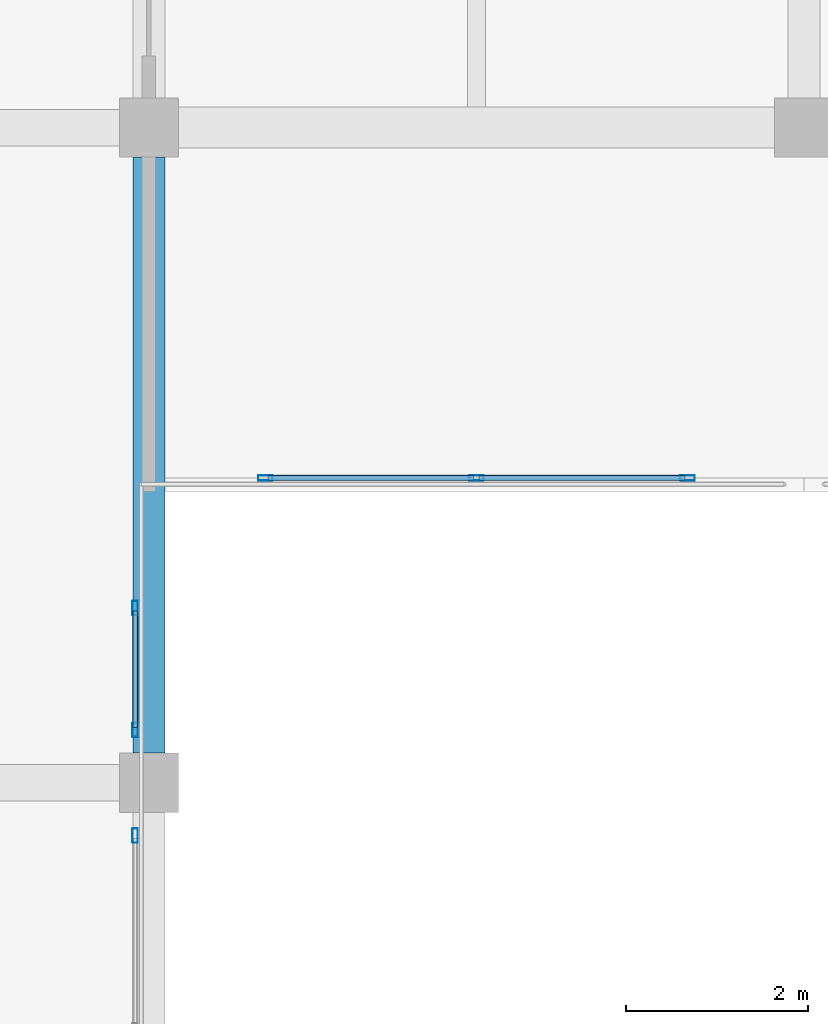
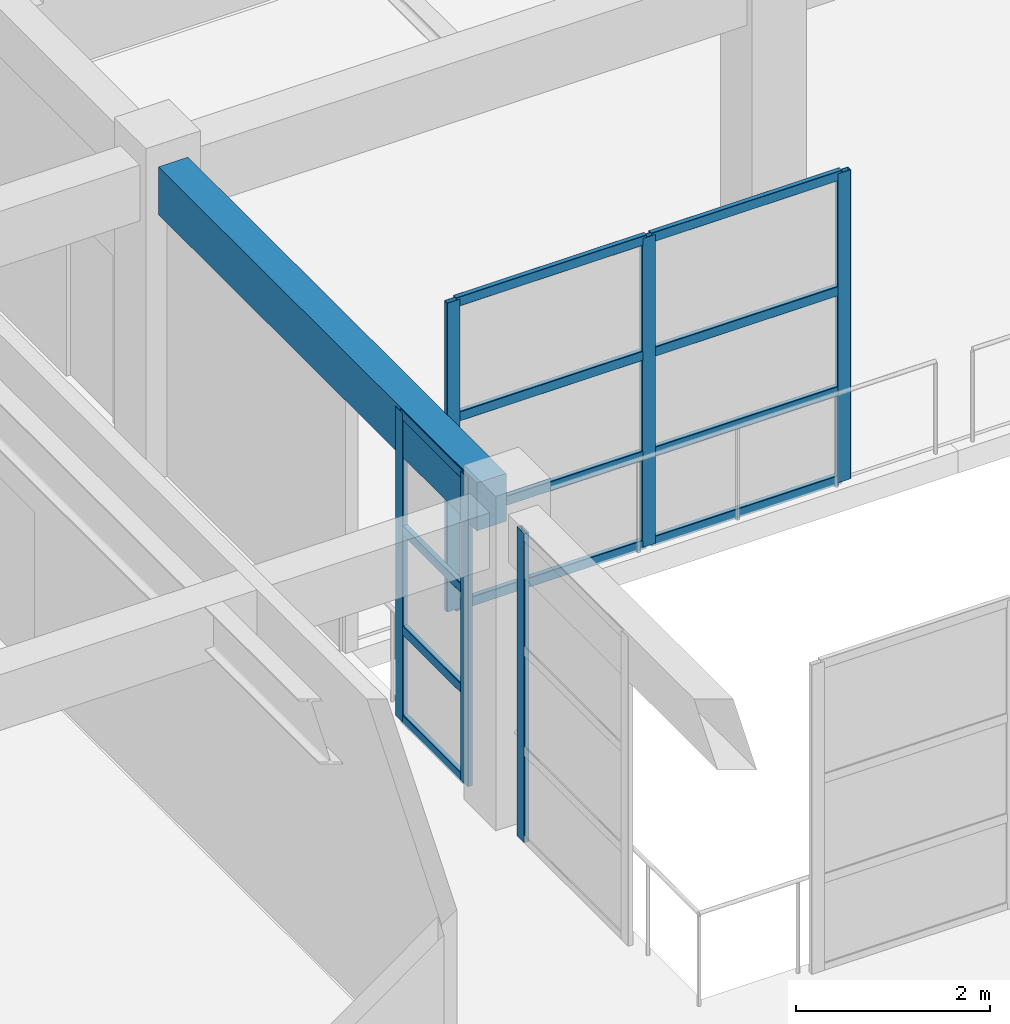
# One storey, part 29 of 67: 18 members, 1 beam, 3 elements without a shape of their own.
"""IFC4 building model written with IfcOpenShell, lengths in metres."""

from ifc_helpers import new_model, si_unit, direction, frame, origin, origin_2d, place, context, subcontext, project, spatial, rectangle, hollow_rectangle, extrude, material, material_profile, profile_set, type_object, element, aggregate, save


model = new_model("IFC4")

# Units and contexts
model_context = context("Model", 3, precision=1e-05, world=origin(), true_north=direction((0.0, 1.0)))
body_context = subcontext(model_context, "Body", "Model", "MODEL_VIEW")
ifc_project = project(units=[si_unit("LENGTHUNIT", "METRE"), si_unit("AREAUNIT", "SQUARE_METRE"), si_unit("VOLUMEUNIT", "CUBIC_METRE"), si_unit("PLANEANGLEUNIT", "RADIAN"), si_unit("MASSUNIT", "GRAM", prefix="KILO")], contexts=[model_context])

# Site, building, storey
site_placement = place(None, origin())
site = spatial("IfcSite", under=ifc_project, at=site_placement, CompositionType="ELEMENT")
building_placement = place(site_placement, origin())
building = spatial("IfcBuilding", under=site, at=building_placement, Name="Bramveld Media Centre", CompositionType="ELEMENT")
storey_placement = place(building_placement, frame((0.0, 0.0, 5.39990234375)))
storey = spatial("IfcBuildingStorey", under=building, at=storey_placement, Name="L01", CompositionType="ELEMENT", Elevation=5.39990234375)

# Beam
ifc_material_1 = material(Name="Concrete C40/50", Category="concrete")
ifc_material_profile_1 = material_profile(ifc_material_1, rectangle(XDim=0.35009765625, YDim=0.60009765625, at=origin_2d()), Name="RC 350x600")
ifc_profile_set_1 = profile_set([ifc_material_profile_1], Name="Concrete C40/50")
beam_type = type_object("IfcBeamType", Name="BM-INT-RC-350x600", PredefinedType="BEAM", material=ifc_profile_set_1)
beam_placement = place(storey_placement, frame((80.0, 105.125, 3.6201171875), z_axis=(0.0, 1.0, 0.0), x_axis=(-1.0, 0.0, 0.0)))
element("IfcBeam", 1, at=beam_placement, inside=storey, type_object=beam_type, Name="V6 L01 girder Y-1030", PredefinedType="BEAM", context=body_context, shape_type="SweptSolid", body=[
    extrude(rectangle(XDim=0.35009765625, YDim=0.60009765625, at=origin_2d()), origin(), (0.0, 0.0, 1.0), 6.550048828125),
])

# Curtain wall, members
ifc_material_2 = material(Name="Thermally broken anodized bronze aluminium unitized curtain wall with solar-control triple glazing", Category="aluminium")
curtain_wall_type_1 = type_object("IfcCurtainWallType", Name="CW-ATR-4700x3880", PredefinedType="NOTDEFINED", material=ifc_material_2)
curtain_wall_1_placement = place(storey_placement, origin())
curtain_wall_1 = element("IfcCurtainWall", 2, at=curtain_wall_1_placement, inside=storey, type_object=curtain_wall_type_1, Name="V6 L01 atrium acoustic screen N1-1", PredefinedType="NOTDEFINED")
ifc_material_3 = material(Name="Thermally broken anodized bronze aluminium EN AW-6063 T6 curtain-wall framing", Category="aluminium")
ifc_material_profile_2 = material_profile(ifc_material_3, hollow_rectangle(XDim=0.06005859375, YDim=0.159912109375, WallThickness=0.00390625, InnerFilletRadius=0.00390625, OuterFilletRadius=0.008056640625, at=origin_2d()), Name="AL-MULL 60x160")
ifc_profile_set_2 = profile_set([ifc_material_profile_2], Name="Thermally broken anodized bronze aluminium EN AW-6063 T6 curtain-wall framing")
member_type_1 = type_object("IfcMemberType", Name="CW-MULL-INT", PredefinedType="MULLION", material=ifc_profile_set_2)
member_1_placement = place(storey_placement, frame((81.280029296875, 108.14990234375, 0.0), z_axis=(0.0, 0.0, 1.0), x_axis=(0.0, 1.0, 0.0)))
member_1 = element("IfcMember", 3, at=member_1_placement, type_object=member_type_1, Name="CW-AT-4738 mullion 1", PredefinedType="MULLION", context=body_context, shape_type="SweptSolid", body=[
    extrude(hollow_rectangle(XDim=0.06005859375, YDim=0.159912109375, WallThickness=0.00390625, InnerFilletRadius=0.00390625, OuterFilletRadius=0.008056640625, at=origin_2d()), origin(), (0.0, 0.0, 1.0), 3.880126953125),
])
member_2_placement = place(storey_placement, frame((83.60009765625, 108.14990234375, 0.0), z_axis=(0.0, 0.0, 1.0), x_axis=(0.0, 1.0, 0.0)))
member_2 = element("IfcMember", 4, at=member_2_placement, type_object=member_type_1, Name="CW-AT-4738 mullion 2", PredefinedType="MULLION", context=body_context, shape_type="SweptSolid", body=[
    extrude(hollow_rectangle(XDim=0.06005859375, YDim=0.159912109375, WallThickness=0.00390625, InnerFilletRadius=0.00390625, OuterFilletRadius=0.008056640625, at=origin_2d()), origin(), (0.0, 0.0, 1.0), 3.880126953125),
])
member_3_placement = place(storey_placement, frame((85.919921875, 108.14990234375, 0.0), z_axis=(0.0, 0.0, 1.0), x_axis=(0.0, 1.0, 0.0)))
member_3 = element("IfcMember", 5, at=member_3_placement, type_object=member_type_1, Name="CW-AT-4738 mullion 3", PredefinedType="MULLION", context=body_context, shape_type="SweptSolid", body=[
    extrude(hollow_rectangle(XDim=0.06005859375, YDim=0.159912109375, WallThickness=0.00390625, InnerFilletRadius=0.00390625, OuterFilletRadius=0.008056640625, at=origin_2d()), origin(), (0.0, 0.0, 1.0), 3.880126953125),
])

# Curtain wall, member
ifc_material_4 = material(Name="Thermally broken anodized bronze aluminium unitized curtain wall with solar-control triple glazing", Category="aluminium")
curtain_wall_type_2 = type_object("IfcCurtainWallType", Name="CW-ATR-2200x3880", PredefinedType="NOTDEFINED", material=ifc_material_4)
curtain_wall_2_placement = place(storey_placement, origin())
curtain_wall_2 = element("IfcCurtainWall", 6, at=curtain_wall_2_placement, inside=storey, type_object=curtain_wall_type_2, Name="V6 L01 atrium acoustic screen W-1", PredefinedType="NOTDEFINED")
member_4_placement = place(storey_placement, frame((79.85009765625, 104.219970703125, 0.0), z_axis=(0.0, 0.0, 1.0), x_axis=(-1.0, 0.0, 0.0)))
member_4 = element("IfcMember", 7, at=member_4_placement, type_object=member_type_1, Name="CW-AT-2238 mullion 2", PredefinedType="MULLION", context=body_context, shape_type="SweptSolid", body=[
    extrude(hollow_rectangle(XDim=0.06005859375, YDim=0.159912109375, WallThickness=0.00390625, InnerFilletRadius=0.00390625, OuterFilletRadius=0.008056640625, at=origin_2d()), origin(), (0.0, 0.0, 1.0), 3.880126953125),
])
aggregate(curtain_wall_2, [member_4])

# Curtain wall, members
ifc_material_5 = material(Name="Thermally broken anodized bronze aluminium unitized curtain wall with solar-control triple glazing", Category="aluminium")
curtain_wall_type_3 = type_object("IfcCurtainWallType", Name="CW-ATR-1400x3880", PredefinedType="NOTDEFINED", material=ifc_material_5)
curtain_wall_3_placement = place(storey_placement, origin())
curtain_wall_3 = element("IfcCurtainWall", 8, at=curtain_wall_3_placement, inside=storey, type_object=curtain_wall_type_3, Name="V6 L01 atrium acoustic screen W-2", PredefinedType="NOTDEFINED")
member_5_placement = place(storey_placement, frame((79.85009765625, 105.3798828125, 0.0), z_axis=(0.0, 0.0, 1.0), x_axis=(-1.0, 0.0, 0.0)))
member_5 = element("IfcMember", 9, at=member_5_placement, type_object=member_type_1, Name="CW-AT-1438 mullion 1", PredefinedType="MULLION", context=body_context, shape_type="SweptSolid", body=[
    extrude(hollow_rectangle(XDim=0.06005859375, YDim=0.159912109375, WallThickness=0.00390625, InnerFilletRadius=0.00390625, OuterFilletRadius=0.008056640625, at=origin_2d()), origin(), (0.0, 0.0, 1.0), 3.880126953125),
])
member_6_placement = place(storey_placement, frame((79.85009765625, 106.719970703125, 0.0), z_axis=(0.0, 0.0, 1.0), x_axis=(-1.0, 0.0, 0.0)))
member_6 = element("IfcMember", 10, at=member_6_placement, type_object=member_type_1, Name="CW-AT-1438 mullion 2", PredefinedType="MULLION", context=body_context, shape_type="SweptSolid", body=[
    extrude(hollow_rectangle(XDim=0.06005859375, YDim=0.159912109375, WallThickness=0.00390625, InnerFilletRadius=0.00390625, OuterFilletRadius=0.008056640625, at=origin_2d()), origin(), (0.0, 0.0, 1.0), 3.880126953125),
])

# Member
ifc_material_6 = material(Name="Thermally broken anodized bronze aluminium EN AW-6063 T6 curtain-wall framing", Category="aluminium")
ifc_material_profile_3 = material_profile(ifc_material_6, hollow_rectangle(XDim=0.06005859375, YDim=0.1201171875, WallThickness=0.00341796875, InnerFilletRadius=0.00341796875, OuterFilletRadius=0.007080078125, at=origin_2d()), Name="AL-TRAN 60x120")
ifc_profile_set_3 = profile_set([ifc_material_profile_3], Name="Thermally broken anodized bronze aluminium EN AW-6063 T6 curtain-wall framing")
member_type_2 = type_object("IfcMemberType", Name="CW-TRAN-INT", PredefinedType="USERDEFINED", material=ifc_profile_set_3)
member_7_placement = place(storey_placement, frame((81.31005859375, 108.14990234375, 0.030029296875), z_axis=(1.0, 0.0, 0.0), x_axis=(0.0, 1.0, 0.0)))
member_7 = element("IfcMember", 11, at=member_7_placement, type_object=member_type_2, Name="CW-AT-4738 transom 1.1", ObjectType="TRANSOM", PredefinedType="USERDEFINED", context=body_context, shape_type="SweptSolid", body=[
    extrude(hollow_rectangle(XDim=0.06005859375, YDim=0.1201171875, WallThickness=0.00341796875, InnerFilletRadius=0.00341796875, OuterFilletRadius=0.007080078125, at=origin_2d()), origin(), (0.0, 0.0, 1.0), 2.260009765625),
])

member_8_placement = place(storey_placement, frame((81.31005859375, 108.14990234375, 1.150146484375), z_axis=(1.0, 0.0, 0.0), x_axis=(0.0, 1.0, 0.0)))
member_8 = element("IfcMember", 12, at=member_8_placement, type_object=member_type_2, Name="CW-AT-4738 transom 1.2", ObjectType="TRANSOM", PredefinedType="USERDEFINED", context=body_context, shape_type="SweptSolid", body=[
    extrude(hollow_rectangle(XDim=0.06005859375, YDim=0.1201171875, WallThickness=0.00341796875, InnerFilletRadius=0.00341796875, OuterFilletRadius=0.007080078125, at=origin_2d()), origin(), (0.0, 0.0, 1.0), 2.260009765625),
])

member_9_placement = place(storey_placement, frame((81.31005859375, 108.14990234375, 2.406005859375), z_axis=(1.0, 0.0, 0.0), x_axis=(0.0, 1.0, 0.0)))
member_9 = element("IfcMember", 13, at=member_9_placement, type_object=member_type_2, Name="CW-AT-4738 transom 1.3", ObjectType="TRANSOM", PredefinedType="USERDEFINED", context=body_context, shape_type="SweptSolid", body=[
    extrude(hollow_rectangle(XDim=0.06005859375, YDim=0.1201171875, WallThickness=0.00341796875, InnerFilletRadius=0.00341796875, OuterFilletRadius=0.007080078125, at=origin_2d()), origin(), (0.0, 0.0, 1.0), 2.260009765625),
])

member_10_placement = place(storey_placement, frame((81.31005859375, 108.14990234375, 3.85009765625), z_axis=(1.0, 0.0, 0.0), x_axis=(0.0, 1.0, 0.0)))
member_10 = element("IfcMember", 14, at=member_10_placement, type_object=member_type_2, Name="CW-AT-4738 transom 1.4", ObjectType="TRANSOM", PredefinedType="USERDEFINED", context=body_context, shape_type="SweptSolid", body=[
    extrude(hollow_rectangle(XDim=0.06005859375, YDim=0.1201171875, WallThickness=0.00341796875, InnerFilletRadius=0.00341796875, OuterFilletRadius=0.007080078125, at=origin_2d()), origin(), (0.0, 0.0, 1.0), 2.260009765625),
])

member_11_placement = place(storey_placement, frame((83.6298828125, 108.14990234375, 0.030029296875), z_axis=(1.0, 0.0, 0.0), x_axis=(0.0, 1.0, 0.0)))
member_11 = element("IfcMember", 15, at=member_11_placement, type_object=member_type_2, Name="CW-AT-4738 transom 2.1", ObjectType="TRANSOM", PredefinedType="USERDEFINED", context=body_context, shape_type="SweptSolid", body=[
    extrude(hollow_rectangle(XDim=0.06005859375, YDim=0.1201171875, WallThickness=0.00341796875, InnerFilletRadius=0.00341796875, OuterFilletRadius=0.007080078125, at=origin_2d()), origin(), (0.0, 0.0, 1.0), 2.260009765625),
])

member_12_placement = place(storey_placement, frame((83.6298828125, 108.14990234375, 1.150146484375), z_axis=(1.0, 0.0, 0.0), x_axis=(0.0, 1.0, 0.0)))
member_12 = element("IfcMember", 16, at=member_12_placement, type_object=member_type_2, Name="CW-AT-4738 transom 2.2", ObjectType="TRANSOM", PredefinedType="USERDEFINED", context=body_context, shape_type="SweptSolid", body=[
    extrude(hollow_rectangle(XDim=0.06005859375, YDim=0.1201171875, WallThickness=0.00341796875, InnerFilletRadius=0.00341796875, OuterFilletRadius=0.007080078125, at=origin_2d()), origin(), (0.0, 0.0, 1.0), 2.260009765625),
])

member_13_placement = place(storey_placement, frame((83.6298828125, 108.14990234375, 2.406005859375), z_axis=(1.0, 0.0, 0.0), x_axis=(0.0, 1.0, 0.0)))
member_13 = element("IfcMember", 17, at=member_13_placement, type_object=member_type_2, Name="CW-AT-4738 transom 2.3", ObjectType="TRANSOM", PredefinedType="USERDEFINED", context=body_context, shape_type="SweptSolid", body=[
    extrude(hollow_rectangle(XDim=0.06005859375, YDim=0.1201171875, WallThickness=0.00341796875, InnerFilletRadius=0.00341796875, OuterFilletRadius=0.007080078125, at=origin_2d()), origin(), (0.0, 0.0, 1.0), 2.260009765625),
])

member_14_placement = place(storey_placement, frame((83.6298828125, 108.14990234375, 3.85009765625), z_axis=(1.0, 0.0, 0.0), x_axis=(0.0, 1.0, 0.0)))
member_14 = element("IfcMember", 18, at=member_14_placement, type_object=member_type_2, Name="CW-AT-4738 transom 2.4", ObjectType="TRANSOM", PredefinedType="USERDEFINED", context=body_context, shape_type="SweptSolid", body=[
    extrude(hollow_rectangle(XDim=0.06005859375, YDim=0.1201171875, WallThickness=0.00341796875, InnerFilletRadius=0.00341796875, OuterFilletRadius=0.007080078125, at=origin_2d()), origin(), (0.0, 0.0, 1.0), 2.260009765625),
])

aggregate(curtain_wall_1, [member_1, member_2, member_3, member_7, member_8, member_9, member_10, member_11, member_12, member_13, member_14])

member_15_placement = place(storey_placement, frame((79.85009765625, 105.409912109375, 0.030029296875), z_axis=(0.0, 1.0, 0.0), x_axis=(-1.0, 0.0, 0.0)))
member_15 = element("IfcMember", 19, at=member_15_placement, type_object=member_type_2, Name="CW-AT-1438 transom 1.1", ObjectType="TRANSOM", PredefinedType="USERDEFINED", context=body_context, shape_type="SweptSolid", body=[
    extrude(hollow_rectangle(XDim=0.06005859375, YDim=0.1201171875, WallThickness=0.00341796875, InnerFilletRadius=0.00341796875, OuterFilletRadius=0.007080078125, at=origin_2d()), origin(), (0.0, 0.0, 1.0), 1.280029296875),
])

member_16_placement = place(storey_placement, frame((79.85009765625, 105.409912109375, 1.150146484375), z_axis=(0.0, 1.0, 0.0), x_axis=(-1.0, 0.0, 0.0)))
member_16 = element("IfcMember", 20, at=member_16_placement, type_object=member_type_2, Name="CW-AT-1438 transom 1.2", ObjectType="TRANSOM", PredefinedType="USERDEFINED", context=body_context, shape_type="SweptSolid", body=[
    extrude(hollow_rectangle(XDim=0.06005859375, YDim=0.1201171875, WallThickness=0.00341796875, InnerFilletRadius=0.00341796875, OuterFilletRadius=0.007080078125, at=origin_2d()), origin(), (0.0, 0.0, 1.0), 1.280029296875),
])

member_17_placement = place(storey_placement, frame((79.85009765625, 105.409912109375, 2.406005859375), z_axis=(0.0, 1.0, 0.0), x_axis=(-1.0, 0.0, 0.0)))
member_17 = element("IfcMember", 21, at=member_17_placement, type_object=member_type_2, Name="CW-AT-1438 transom 1.3", ObjectType="TRANSOM", PredefinedType="USERDEFINED", context=body_context, shape_type="SweptSolid", body=[
    extrude(hollow_rectangle(XDim=0.06005859375, YDim=0.1201171875, WallThickness=0.00341796875, InnerFilletRadius=0.00341796875, OuterFilletRadius=0.007080078125, at=origin_2d()), origin(), (0.0, 0.0, 1.0), 1.280029296875),
])

member_18_placement = place(storey_placement, frame((79.85009765625, 105.409912109375, 3.85009765625), z_axis=(0.0, 1.0, 0.0), x_axis=(-1.0, 0.0, 0.0)))
member_18 = element("IfcMember", 22, at=member_18_placement, type_object=member_type_2, Name="CW-AT-1438 transom 1.4", ObjectType="TRANSOM", PredefinedType="USERDEFINED", context=body_context, shape_type="SweptSolid", body=[
    extrude(hollow_rectangle(XDim=0.06005859375, YDim=0.1201171875, WallThickness=0.00341796875, InnerFilletRadius=0.00341796875, OuterFilletRadius=0.007080078125, at=origin_2d()), origin(), (0.0, 0.0, 1.0), 1.280029296875),
])

aggregate(curtain_wall_3, [member_5, member_6, member_15, member_16, member_17, member_18])

save(model, "model.ifc")
